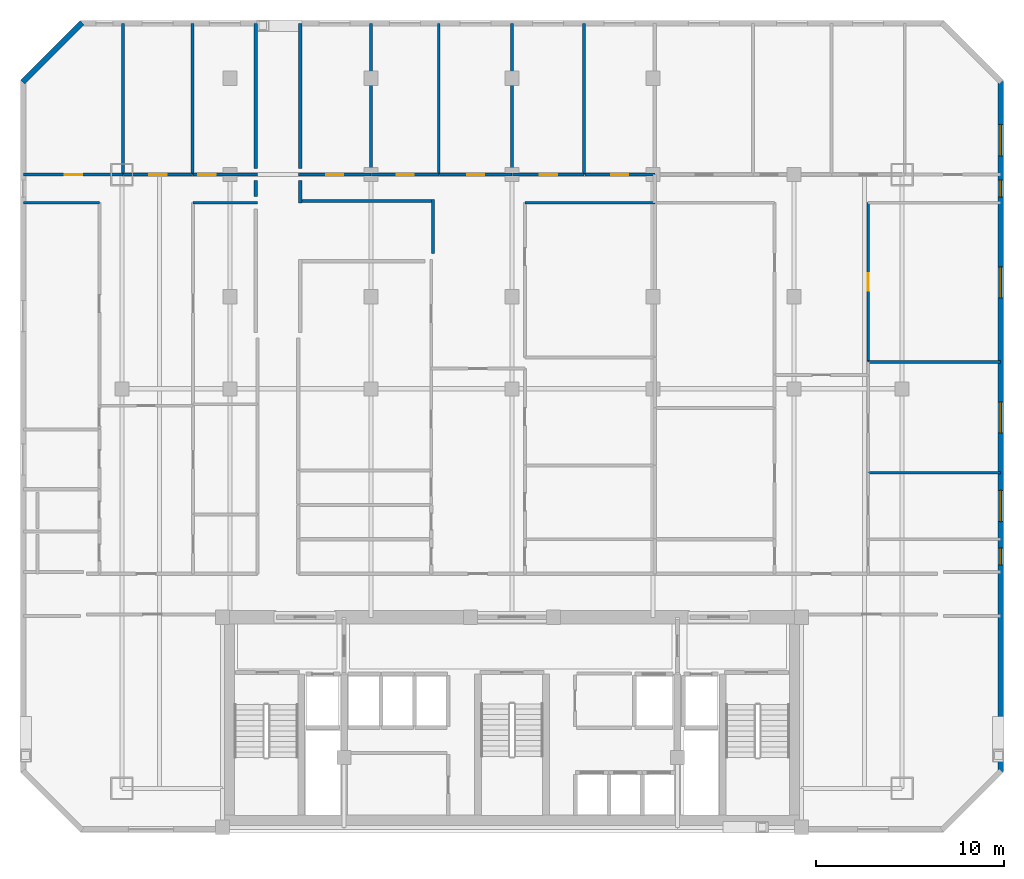
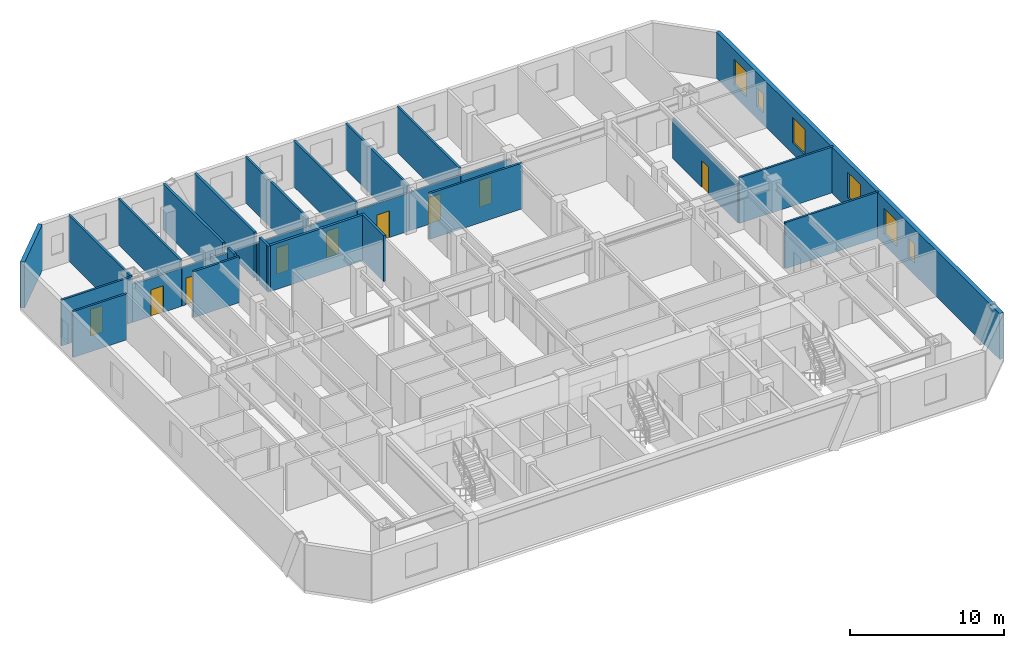
# One storey, part 6 of 8: 28 walls, 9 doors, 6 windows, 15 openings.
"""IFC4 building model written with IfcOpenShell, lengths in metres."""

import ifcopenshell
import ifcopenshell.guid

model = None  # the IFC model being written
_history = None  # IfcOwnerHistory: only IFC2X3 demands one
_inside = {}  # id of a spatial element -> (the spatial element, [elements in it])
_under = {}  # id of a project, library or spatial element -> (it, [spatial elements below it])
_declared = {}  # id of a project -> (the project, [libraries it declares])
_typed = {}  # id of a type object -> (the type object, [elements of that type])
_made_of = {}  # id of a material, layer set ... -> (it, [elements and type objects made of it])


def new_model(schema):
    """Start an empty IFC model of exactly this schema.

    Asked for "IFC4X3", IfcOpenShell would pick the latest addendum, in which some entities
    have other attributes; the version numbers below select the first issue.
    IFC2X3 requires an IfcOwnerHistory on every rooted entity: one is made here for all.
    """
    global model, _history
    if schema == "IFC4X3":
        model = ifcopenshell.file(schema_version=(4, 3, 0, 0))
    else:
        model = ifcopenshell.file(schema=schema)
    _inside.clear()
    _under.clear()
    _declared.clear()
    _typed.clear()
    _made_of.clear()
    _history = None
    if model.schema == "IFC2X3":
        org = make("IfcOrganization", Name="unknown")
        user = make(
            "IfcPersonAndOrganization",
            ThePerson=make("IfcPerson", FamilyName="unknown"),
            TheOrganization=org,
        )
        app = make(
            "IfcApplication",
            ApplicationDeveloper=org,
            Version="unknown",
            ApplicationFullName="unknown",
            ApplicationIdentifier="unknown",
        )
        _history = make(
            "IfcOwnerHistory",
            OwningUser=user,
            OwningApplication=app,
            ChangeAction="ADDED",
            CreationDate=0,
        )
    return model


def make(cls, **values):
    """One entity of the class cls with the attributes given. An attribute that is None is left unset."""
    return model.create_entity(
        cls, **{name: value for name, value in values.items() if value is not None}
    )


def rooted(cls, **values):
    """An entity with a GlobalId (a new one), such as an element, a storey or a relation."""
    return make(cls, GlobalId=ifcopenshell.guid.new(), OwnerHistory=_history, **values)


def si_unit(unit_type, name, prefix=None):
    """IfcSIUnit, for example si_unit("LENGTHUNIT", "METRE", prefix="MILLI")."""
    return make("IfcSIUnit", UnitType=unit_type, Prefix=prefix, Name=name)


def assignment(units):
    """IfcUnitAssignment: the units of a project."""
    return None if units is None else make("IfcUnitAssignment", Units=units)


def point(xyz):
    """IfcCartesianPoint."""
    return None if xyz is None else make("IfcCartesianPoint", Coordinates=xyz)


def direction(xyz):
    """IfcDirection."""
    return None if xyz is None else make("IfcDirection", DirectionRatios=xyz)


def frame(location, z_axis=None, x_axis=None):
    """IfcAxis2Placement3D, a coordinate frame: its origin and axes. An axis left out is left unset."""
    return make(
        "IfcAxis2Placement3D",
        Location=point(location),
        Axis=direction(z_axis),
        RefDirection=direction(x_axis),
    )


def frame_2d(location, x_axis=None):
    """IfcAxis2Placement2D, a coordinate frame in the plane: its origin and x axis."""
    return make(
        "IfcAxis2Placement2D", Location=point(location), RefDirection=direction(x_axis)
    )


def origin():
    """The frame at (0, 0, 0) with its axes left unset."""
    return frame((0.0, 0.0, 0.0))


def place(relative_to, where):
    """IfcLocalPlacement: puts the frame where relative to a parent placement (None: the world)."""
    return make(
        "IfcLocalPlacement", PlacementRelTo=relative_to, RelativePlacement=where
    )


def context(
    kind, dimensions, precision=None, world=None, true_north=None, identifier=None
):
    """IfcGeometricRepresentationContext, for example the 3D "Model" context."""
    return make(
        "IfcGeometricRepresentationContext",
        ContextIdentifier=identifier,
        ContextType=kind,
        CoordinateSpaceDimension=dimensions,
        Precision=precision,
        WorldCoordinateSystem=world,
        TrueNorth=true_north,
    )


def subcontext(parent, identifier, kind, view, scale=None):
    """IfcGeometricRepresentationSubContext, for example "Body" below "Model"."""
    return make(
        "IfcGeometricRepresentationSubContext",
        ContextIdentifier=identifier,
        ContextType=kind,
        ParentContext=parent,
        TargetScale=scale,
        TargetView=view,
    )


def project(units=None, contexts=None):
    """IfcProject with its units and contexts."""
    return rooted(
        "IfcProject",
        Name="project",
        RepresentationContexts=contexts,
        UnitsInContext=assignment(units),
    )


def spatial(cls, under=None, at=None, **own):
    """A site, building, storey or space (cls), placed at a placement, below another one or the project."""
    s = rooted(cls, ObjectPlacement=at, **own)
    if under is not None:
        _under.setdefault(under.id(), (under, []))[1].append(s)
    return s


def profile(cls, at=None, kind="AREA", **sizes):
    """A parametric profile (cls). Its sizes go by their IFC names, for example OverallWidth=200.0."""
    return make(cls, ProfileType=kind, Position=at, **sizes)


def rectangle(**sizes):
    """IfcRectangleProfileDef."""
    return profile("IfcRectangleProfileDef", **sizes)


def extrude(swept, where, along, depth):
    """IfcExtrudedAreaSolid: the profile swept, set in the frame where, extruded along a direction by depth."""
    return make(
        "IfcExtrudedAreaSolid",
        SweptArea=swept,
        Position=where,
        ExtrudedDirection=direction(along),
        Depth=depth,
    )


def shape(context_of_items, identifier, shape_type, items):
    """IfcShapeRepresentation: the items that make up one representation, for example the "Body"."""
    return make(
        "IfcShapeRepresentation",
        ContextOfItems=context_of_items,
        RepresentationIdentifier=identifier,
        RepresentationType=shape_type,
        Items=items,
    )


def material(Name=None, Category=None):
    """IfcMaterial."""
    return make("IfcMaterial", Name=Name, Category=Category)


def layer(
    of_material, thickness, ventilated=None, Name=None, Category=None, Priority=None
):
    """IfcMaterialLayer: one layer of a wall or slab, of a material (None: an air gap)."""
    return make(
        "IfcMaterialLayer",
        Material=of_material,
        LayerThickness=thickness,
        IsVentilated=ventilated,
        Name=Name,
        Category=Category,
        Priority=Priority,
    )


def layer_set(layers, Name=None):
    """IfcMaterialLayerSet."""
    return make("IfcMaterialLayerSet", MaterialLayers=layers, LayerSetName=Name)


def made_of(thing, what):
    """Note that an element or type object is made of a material, layer set ...; save() writes the relation."""
    if what is not None:
        _made_of.setdefault(what.id(), (what, []))[1].append(thing)
    return thing


def type_object(cls, material=None, **own):
    """A type object (cls), such as IfcWallType, which elements share."""
    return made_of(rooted(cls, **own), material)


def element(
    cls,
    number,
    at=None,
    inside=None,
    cuts=None,
    type_object=None,
    material=None,
    context=None,
    identifier="Body",
    shape_type=None,
    held_by="IfcProductDefinitionShape",
    body=None,
    shapes=None,
    **own,
):
    """One element of the class cls, such as IfcWall. Its Tag is "e" and its number.

    at: its placement. inside: the storey or other place that contains it. cuts: it is an
    opening in that element (IfcRelVoidsElement). A single representation is given by context,
    identifier, shape_type and body (its items); several are given by shapes. held_by: the class
    of the entity that holds the representations. save() writes the other relations.
    """
    e = rooted(cls, Tag="e%d" % number, ObjectPlacement=at, **own)
    if body is not None:
        shapes = [shape(context, identifier, shape_type, body)]
    if shapes is not None:
        e.Representation = make(held_by, Representations=shapes)
    if inside is not None:
        _inside.setdefault(inside.id(), (inside, []))[1].append(e)
    if cuts is not None:
        rooted(
            "IfcRelVoidsElement", RelatingBuildingElement=cuts, RelatedOpeningElement=e
        )
    if type_object is not None:
        _typed.setdefault(type_object.id(), (type_object, []))[1].append(e)
    return made_of(e, material)


def fill(opening, filler):
    """IfcRelFillsElement: the door or window that sits in an opening."""
    return rooted(
        "IfcRelFillsElement",
        RelatingOpeningElement=opening,
        RelatedBuildingElement=filler,
    )


def aggregate(whole, parts):
    """IfcRelAggregates: a whole, such as a stair, and the parts it consists of."""
    return rooted("IfcRelAggregates", RelatingObject=whole, RelatedObjects=parts)


def save(model, path):
    """Write the relations noted so far, then the file.

    IfcRelAggregates (storeys below a building ...), IfcRelContainedInSpatialStructure (elements
    in a storey), IfcRelDefinesByType, IfcRelAssociatesMaterial and IfcRelDeclares: one each for
    every whole, place, type object, material and project.
    """
    for whole, parts in _under.values():
        aggregate(whole, parts)
    for where, things in _inside.values():
        rooted(
            "IfcRelContainedInSpatialStructure",
            RelatedElements=things,
            RelatingStructure=where,
        )
    for kind, things in _typed.values():
        rooted("IfcRelDefinesByType", RelatedObjects=things, RelatingType=kind)
    for what, things in _made_of.values():
        rooted("IfcRelAssociatesMaterial", RelatedObjects=things, RelatingMaterial=what)
    for by, libraries in _declared.values():
        rooted("IfcRelDeclares", RelatingContext=by, RelatedDefinitions=libraries)
    model.write(path)


model = new_model("IFC4")

# Units and contexts
model_context = context("Model", 3, precision=1e-05, world=origin(), true_north=direction((0.0, 1.0)))
body_context = subcontext(model_context, "Body", "Model", "MODEL_VIEW")
ifc_project = project(units=[si_unit("LENGTHUNIT", "METRE"), si_unit("AREAUNIT", "SQUARE_METRE"), si_unit("VOLUMEUNIT", "CUBIC_METRE"), si_unit("PLANEANGLEUNIT", "RADIAN"), si_unit("MASSUNIT", "GRAM", prefix="KILO")], contexts=[model_context])

# Site, building, storey
site_placement = place(None, origin())
site = spatial("IfcSite", under=ifc_project, at=site_placement, CompositionType="ELEMENT")
building_placement = place(site_placement, origin())
building = spatial("IfcBuilding", under=site, at=building_placement, Name="Ventersveld Concourse Tower", CompositionType="ELEMENT")
storey_placement = place(building_placement, frame((0.0, 0.0, 149.050048828125)))
storey = spatial("IfcBuildingStorey", under=building, at=storey_placement, Name="L36", CompositionType="ELEMENT", Elevation=149.050048828125)

# Walls
ifc_material_1 = material(Name="Fire-rated autoclaved aerated masonry blockwork", Category="masonry")
ifc_layer_1 = layer(ifc_material_1, 0.179931640625)
ifc_layer_set_1 = layer_set([ifc_layer_1], Name="Fire-rated autoclaved aerated masonry blockwork")
wall_type_1 = type_object("IfcWallType", Name="WL-CORR-180", PredefinedType="PARTITIONING", material=ifc_layer_set_1)
wall_1_placement = place(storey_placement, frame((15.1201171875, 34.675048828125, 0.0), z_axis=(0.0, 0.0, 1.0), x_axis=(0.0, -1.0, 0.0)))
element("IfcWall", 1, at=wall_1_placement, inside=storey, type_object=wall_type_1, Name="L36 Room Enclosure Wall SP-L36-36NW-LIV", PredefinedType="PARTITIONING", context=body_context, shape_type="SweptSolid", body=[
    extrude(rectangle(XDim=0.85009765625, YDim=0.179931640625, at=frame_2d((0.425048828125, 0.0))), origin(), (0.0, 0.0, 1.0), 3.6298828125),
])
wall_2_placement = place(storey_placement, frame((15.1201171875, 43.027587890625, 0.0), z_axis=(0.0, 0.0, 1.0), x_axis=(0.0, -1.0, 0.0)))
element("IfcWall", 2, at=wall_2_placement, inside=storey, type_object=wall_type_1, Name="L36 Room Enclosure Wall SP-L36-36NW-BR3", PredefinedType="PARTITIONING", context=body_context, shape_type="SweptSolid", body=[
    extrude(rectangle(XDim=7.70263671875, YDim=0.179931640625, at=frame_2d((3.851318359375, 0.0))), origin(), (0.0, 0.0, 1.0), 3.6298828125),
])
wall_3_placement = place(storey_placement, frame((24.64013671875, 33.590087890625, 0.0), z_axis=(0.0, 0.0, 1.0), x_axis=(-1.0, 0.0, 0.0)))
element("IfcWall", 3, at=wall_3_placement, inside=storey, type_object=wall_type_1, Name="L36 Room Enclosure Wall SP-L36-36N1-LIV", PredefinedType="PARTITIONING", context=body_context, shape_type="SweptSolid", body=[
    extrude(rectangle(XDim=7.255126953125, YDim=0.179931640625, at=frame_2d((3.62744140625, 0.0))), origin(), (0.0, 0.0, 1.0), 3.6298828125),
])
wall_4_placement = place(storey_placement, frame((17.47998046875, 33.4951171875, 0.0), z_axis=(0.0, 0.0, 1.0), x_axis=(0.0, 1.0, 0.0)))
element("IfcWall", 4, at=wall_4_placement, inside=storey, type_object=wall_type_1, Name="L36 Room Enclosure Wall SP-L36-36N1-LIV", PredefinedType="PARTITIONING", context=body_context, shape_type="SweptSolid", body=[
    extrude(rectangle(XDim=1.179931640625, YDim=0.179931640625, at=frame_2d((0.58984375, 0.0))), origin(), (0.0, 0.0, 1.0), 3.6298828125),
])
wall_5_placement = place(storey_placement, frame((24.545166015625, 30.798095703125, 0.0), z_axis=(0.0, 0.0, 1.0), x_axis=(0.0, 1.0, 0.0)))
element("IfcWall", 5, at=wall_5_placement, inside=storey, type_object=wall_type_1, Name="L36 Room Enclosure Wall SP-L36-36N1-LIV", PredefinedType="PARTITIONING", context=body_context, shape_type="SweptSolid", body=[
    extrude(rectangle(XDim=2.886962890625, YDim=0.179931640625, at=frame_2d((1.443359375, 0.0))), origin(), (0.0, 0.0, 1.0), 3.6298828125),
])
wall_6_placement = place(storey_placement, frame((17.47998046875, 35.324951171875, 0.0), z_axis=(0.0, 0.0, 1.0), x_axis=(0.0, 1.0, 0.0)))
element("IfcWall", 6, at=wall_6_placement, inside=storey, type_object=wall_type_1, Name="L36 Room Enclosure Wall SP-L36-36N1-BR1", PredefinedType="PARTITIONING", context=body_context, shape_type="SweptSolid", body=[
    extrude(rectangle(XDim=7.70263671875, YDim=0.179931640625, at=frame_2d((3.851318359375, 0.0))), origin(), (0.0, 0.0, 1.0), 3.6298828125),
])
ifc_material_2 = material(Name="Autoclaved aerated masonry blockwork", Category="masonry")
ifc_layer_2 = layer(ifc_material_2, 0.14990234375)
ifc_layer_set_2 = layer_set([ifc_layer_2], Name="Autoclaved aerated masonry blockwork")
wall_type_2 = type_object("IfcWallType", Name="WL-INT-150", PredefinedType="PARTITIONING", material=ifc_layer_set_2)
wall_7_placement = place(storey_placement, frame((2.7724609375, 33.5, 0.0), z_axis=(0.0, 0.0, 1.0), x_axis=(1.0, 0.0, 0.0)))
element("IfcWall", 7, at=wall_7_placement, inside=storey, type_object=wall_type_2, Name="L36 Interior Partition SP-L36-36NW-LIV-SP-L36-36NW-DENL", PredefinedType="PARTITIONING", context=body_context, shape_type="SweptSolid", body=[
    extrude(rectangle(XDim=4.038330078125, YDim=0.14990234375, at=frame_2d((2.01904296875, 0.0))), origin(), (0.0, 0.0, 1.0), 3.6298828125),
])
wall_8_placement = place(storey_placement, frame((11.781005859375, 33.5, 0.0), z_axis=(0.0, 0.0, 1.0), x_axis=(1.0, 0.0, 0.0)))
element("IfcWall", 8, at=wall_8_placement, inside=storey, type_object=wall_type_2, Name="L36 Interior Partition SP-L36-36NW-LIV-SP-L36-36NW-DENS", PredefinedType="PARTITIONING", context=body_context, shape_type="SweptSolid", body=[
    extrude(rectangle(XDim=3.43408203125, YDim=0.14990234375, at=frame_2d((1.717041015625, 0.0))), origin(), (0.0, 0.0, 1.0), 3.6298828125),
])

# Wall, opening, door
wall_9_placement = place(storey_placement, frame((2.7724609375, 35.0, 0.0), z_axis=(0.0, 0.0, 1.0), x_axis=(1.0, 0.0, 0.0)))
wall_9 = element("IfcWall", 9, at=wall_9_placement, inside=storey, type_object=wall_type_2, Name="L36 Interior Partition SP-L36-36NW-LIV-SP-L36-36NW-BR1", PredefinedType="PARTITIONING", context=body_context, shape_type="SweptSolid", body=[
    extrude(rectangle(XDim=5.291748046875, YDim=0.14990234375, at=frame_2d((2.64599609375, 0.0))), origin(), (0.0, 0.0, 1.0), 3.6298828125),
])
opening_1_placement = place(wall_9_placement, frame((2.185791015625, 0.0, 0.0)))
opening_1 = element("IfcOpeningElement", 10, at=opening_1_placement, cuts=wall_9, Name="Opening ID1", PredefinedType="OPENING", context=body_context, shape_type="SweptSolid", body=[
    extrude(rectangle(XDim=0.919921875, YDim=2.10009765625, at=frame_2d((0.4599609375, 1.050048828125))), frame((0.0, 0.0849609375, 0.0), z_axis=(0.0, -1.0, 0.0), x_axis=(1.0, 0.0, 0.0)), (0.0, 0.0, 1.0), 0.169921875),
])
ifc_material_3 = material(Name="Solid-core hardwood veneer timber", Category="wood")
door_type = type_object("IfcDoorType", Name="DR-ROOM-092", OperationType="NOTDEFINED", PredefinedType="DOOR", material=ifc_material_3)
door_1_placement = place(opening_1_placement, origin())
door_1 = element("IfcDoor", 11, at=door_1_placement, inside=storey, type_object=door_type, Name="L36 Interior Door SP-L36-36NW-LIV to SP-L36-36NW-BR1 (D-L36-1770)", OperationType="SINGLE_SWING_RIGHT", OverallHeight=2.10009765625, OverallWidth=0.919921875, PredefinedType="DOOR", context=body_context, shape_type="SweptSolid", body=[
    extrude(rectangle(XDim=0.919921875, YDim=2.10009765625, at=frame_2d((0.4599609375, 1.050048828125))), frame((0.0, 0.02490234375, 0.0), z_axis=(0.0, -1.0, 0.0), x_axis=(1.0, 0.0, 0.0)), (0.0, 0.0, 1.0), 0.050048828125),
])
fill(opening_1, door_1)

wall_10_placement = place(storey_placement, frame((8.09423828125, 35.0, 0.0), z_axis=(0.0, 0.0, 1.0), x_axis=(1.0, 0.0, 0.0)))
wall_10 = element("IfcWall", 12, at=wall_10_placement, inside=storey, type_object=wall_type_2, Name="L36 Interior Partition SP-L36-36NW-LIV-SP-L36-36NW-BR2", PredefinedType="PARTITIONING", context=body_context, shape_type="SweptSolid", body=[
    extrude(rectangle(XDim=3.662353515625, YDim=0.14990234375, at=frame_2d((1.8310546875, 0.0))), origin(), (0.0, 0.0, 1.0), 3.0126953125),
])
opening_2_placement = place(wall_10_placement, frame((1.371337890625, 0.0, 0.0)))
opening_2 = element("IfcOpeningElement", 13, at=opening_2_placement, cuts=wall_10, Name="Opening ID1", PredefinedType="OPENING", context=body_context, shape_type="SweptSolid", body=[
    extrude(rectangle(XDim=0.919921875, YDim=2.10009765625, at=frame_2d((0.4599609375, 1.050048828125))), frame((0.0, 0.0849609375, 0.0), z_axis=(0.0, -1.0, 0.0), x_axis=(1.0, 0.0, 0.0)), (0.0, 0.0, 1.0), 0.169921875),
])
door_2_placement = place(opening_2_placement, origin())
door_2 = element("IfcDoor", 14, at=door_2_placement, inside=storey, type_object=door_type, Name="L36 Interior Door SP-L36-36NW-LIV to SP-L36-36NW-BR2 (D-L36-1771)", OperationType="SINGLE_SWING_LEFT", OverallHeight=2.10009765625, OverallWidth=0.919921875, PredefinedType="DOOR", context=body_context, shape_type="SweptSolid", body=[
    extrude(rectangle(XDim=0.919921875, YDim=2.10009765625, at=frame_2d((0.4599609375, 1.050048828125))), frame((0.0, 0.02490234375, 0.0), z_axis=(0.0, -1.0, 0.0), x_axis=(1.0, 0.0, 0.0)), (0.0, 0.0, 1.0), 0.050048828125),
])
fill(opening_2, door_2)

wall_11_placement = place(storey_placement, frame((11.78662109375, 35.0, 0.0), z_axis=(0.0, 0.0, 1.0), x_axis=(1.0, 0.0, 0.0)))
wall_11 = element("IfcWall", 15, at=wall_11_placement, inside=storey, type_object=wall_type_2, Name="L36 Interior Partition SP-L36-36NW-LIV-SP-L36-36NW-BR3", PredefinedType="PARTITIONING", context=body_context, shape_type="SweptSolid", body=[
    extrude(rectangle(XDim=3.428466796875, YDim=0.14990234375, at=frame_2d((1.71435546875, 0.0))), origin(), (0.0, 0.0, 1.0), 3.0126953125),
])
opening_3_placement = place(wall_11_placement, frame((0.280029296875, 0.0, 0.0)))
opening_3 = element("IfcOpeningElement", 16, at=opening_3_placement, cuts=wall_11, Name="Opening ID1", PredefinedType="OPENING", context=body_context, shape_type="SweptSolid", body=[
    extrude(rectangle(XDim=0.919921875, YDim=2.10009765625, at=frame_2d((0.4599609375, 1.050048828125))), frame((0.0, 0.0849609375, 0.0), z_axis=(0.0, -1.0, 0.0), x_axis=(1.0, 0.0, 0.0)), (0.0, 0.0, 1.0), 0.169921875),
])
door_3_placement = place(opening_3_placement, origin())
door_3 = element("IfcDoor", 17, at=door_3_placement, inside=storey, type_object=door_type, Name="L36 Interior Door SP-L36-36NW-LIV to SP-L36-36NW-BR3 (D-L36-1772)", OperationType="SINGLE_SWING_RIGHT", OverallHeight=2.10009765625, OverallWidth=0.919921875, PredefinedType="DOOR", context=body_context, shape_type="SweptSolid", body=[
    extrude(rectangle(XDim=0.919921875, YDim=2.10009765625, at=frame_2d((0.4599609375, 1.050048828125))), frame((0.0, 0.02490234375, 0.0), z_axis=(0.0, -1.0, 0.0), x_axis=(1.0, 0.0, 0.0)), (0.0, 0.0, 1.0), 0.050048828125),
])
fill(opening_3, door_3)

# Walls
for number, where, z_axis, x_axis, name in (
    (18, (8.05908203125, 34.9951171875, 0.0), (0.0, 0.0, 1.0), (0.0, 1.0, 0.0), "L36 Interior Partition SP-L36-36NW-BR1-SP-L36-36NW-BR2"),
    (19, (11.751708984375, 34.9951171875, 0.0), (0.0, 0.0, 1.0), (0.0, 1.0, 0.0), "L36 Interior Partition SP-L36-36NW-BR2-SP-L36-36NW-BR3"),
):
    element("IfcWall", number, at=place(storey_placement, frame(where, z_axis=z_axis, x_axis=x_axis)), inside=storey, type_object=wall_type_2, Name=name, PredefinedType="PARTITIONING", context=body_context, shape_type="SweptSolid", body=[
        extrude(rectangle(XDim=8.032470703125, YDim=0.14990234375, at=frame_2d((4.01611328125, 0.0))), origin(), (0.0, 0.0, 1.0), 3.6298828125),
    ])
wall_12_placement = place(storey_placement, frame((29.43017578125, 33.5, 0.0), z_axis=(0.0, 0.0, 1.0), x_axis=(1.0, 0.0, 0.0)))
element("IfcWall", 20, at=wall_12_placement, inside=storey, type_object=wall_type_2, Name="L36 Interior Partition SP-L36-36N1-LIV-SP-L36-36N1-DENS2", PredefinedType="PARTITIONING", context=body_context, shape_type="SweptSolid", body=[
    extrude(rectangle(XDim=6.9189453125, YDim=0.14990234375, at=frame_2d((3.45947265625, 0.0))), origin(), (0.0, 0.0, 1.0), 3.6298828125),
])

# Wall, opening, door
wall_13_placement = place(storey_placement, frame((17.385009765625, 35.0, 0.0), z_axis=(0.0, 0.0, 1.0), x_axis=(1.0, 0.0, 0.0)))
wall_13 = element("IfcWall", 21, at=wall_13_placement, inside=storey, type_object=wall_type_2, Name="L36 Interior Partition SP-L36-36N1-LIV-SP-L36-36N1-BR1", PredefinedType="PARTITIONING", context=body_context, shape_type="SweptSolid", body=[
    extrude(rectangle(XDim=3.869873046875, YDim=0.14990234375, at=frame_2d((1.93505859375, 0.0))), origin(), (0.0, 0.0, 1.0), 3.0126953125),
])
opening_4_placement = place(wall_13_placement, frame((1.47509765625, 0.0, 0.0)))
opening_4 = element("IfcOpeningElement", 22, at=opening_4_placement, cuts=wall_13, Name="Opening ID1", PredefinedType="OPENING", context=body_context, shape_type="SweptSolid", body=[
    extrude(rectangle(XDim=0.919921875, YDim=2.10009765625, at=frame_2d((0.4599609375, 1.050048828125))), frame((0.0, 0.0849609375, 0.0), z_axis=(0.0, -1.0, 0.0), x_axis=(1.0, 0.0, 0.0)), (0.0, 0.0, 1.0), 0.169921875),
])
door_4_placement = place(opening_4_placement, origin())
door_4 = element("IfcDoor", 23, at=door_4_placement, inside=storey, type_object=door_type, Name="L36 Interior Door SP-L36-36N1-LIV to SP-L36-36N1-BR1 (D-L36-1783)", OperationType="SINGLE_SWING_LEFT", OverallHeight=2.10009765625, OverallWidth=0.919921875, PredefinedType="DOOR", context=body_context, shape_type="SweptSolid", body=[
    extrude(rectangle(XDim=0.919921875, YDim=2.10009765625, at=frame_2d((0.4599609375, 1.050048828125))), frame((0.0, 0.02490234375, 0.0), z_axis=(0.0, -1.0, 0.0), x_axis=(1.0, 0.0, 0.0)), (0.0, 0.0, 1.0), 0.050048828125),
])
fill(opening_4, door_4)

wall_14_placement = place(storey_placement, frame((21.284912109375, 35.0, 0.0), z_axis=(0.0, 0.0, 1.0), x_axis=(1.0, 0.0, 0.0)))
wall_14 = element("IfcWall", 24, at=wall_14_placement, inside=storey, type_object=wall_type_2, Name="L36 Interior Partition SP-L36-36N1-LIV-SP-L36-36N1-BR2", PredefinedType="PARTITIONING", context=body_context, shape_type="SweptSolid", body=[
    extrude(rectangle(XDim=3.578125, YDim=0.14990234375, at=frame_2d((1.7890625, 0.0))), origin(), (0.0, 0.0, 1.0), 3.0126953125),
])
opening_5_placement = place(wall_14_placement, frame((1.3291015625, 0.0, 0.0)))
opening_5 = element("IfcOpeningElement", 25, at=opening_5_placement, cuts=wall_14, Name="Opening ID1", PredefinedType="OPENING", context=body_context, shape_type="SweptSolid", body=[
    extrude(rectangle(XDim=0.919921875, YDim=2.10009765625, at=frame_2d((0.4599609375, 1.050048828125))), frame((0.0, 0.0849609375, 0.0), z_axis=(0.0, -1.0, 0.0), x_axis=(1.0, 0.0, 0.0)), (0.0, 0.0, 1.0), 0.169921875),
])
door_5_placement = place(opening_5_placement, origin())
door_5 = element("IfcDoor", 26, at=door_5_placement, inside=storey, type_object=door_type, Name="L36 Interior Door SP-L36-36N1-LIV to SP-L36-36N1-BR2 (D-L36-1784)", OperationType="SINGLE_SWING_RIGHT", OverallHeight=2.10009765625, OverallWidth=0.919921875, PredefinedType="DOOR", context=body_context, shape_type="SweptSolid", body=[
    extrude(rectangle(XDim=0.919921875, YDim=2.10009765625, at=frame_2d((0.4599609375, 1.050048828125))), frame((0.0, 0.02490234375, 0.0), z_axis=(0.0, -1.0, 0.0), x_axis=(1.0, 0.0, 0.0)), (0.0, 0.0, 1.0), 0.050048828125),
])
fill(opening_5, door_5)

wall_15_placement = place(storey_placement, frame((24.89306640625, 35.0, 0.0), z_axis=(0.0, 0.0, 1.0), x_axis=(1.0, 0.0, 0.0)))
wall_15 = element("IfcWall", 27, at=wall_15_placement, inside=storey, type_object=wall_type_2, Name="L36 Interior Partition SP-L36-36N1-LIV-SP-L36-36N1-BR3", PredefinedType="PARTITIONING", context=body_context, shape_type="SweptSolid", body=[
    extrude(rectangle(XDim=3.86181640625, YDim=0.14990234375, at=frame_2d((1.930908203125, 0.0))), origin(), (0.0, 0.0, 1.0), 3.0126953125),
])
opening_6_placement = place(wall_15_placement, frame((1.470947265625, 0.0, 0.0)))
opening_6 = element("IfcOpeningElement", 28, at=opening_6_placement, cuts=wall_15, Name="Opening ID1", PredefinedType="OPENING", context=body_context, shape_type="SweptSolid", body=[
    extrude(rectangle(XDim=0.919921875, YDim=2.10009765625, at=frame_2d((0.4599609375, 1.050048828125))), frame((0.0, 0.0849609375, 0.0), z_axis=(0.0, -1.0, 0.0), x_axis=(1.0, 0.0, 0.0)), (0.0, 0.0, 1.0), 0.169921875),
])
door_6_placement = place(opening_6_placement, origin())
door_6 = element("IfcDoor", 29, at=door_6_placement, inside=storey, type_object=door_type, Name="L36 Interior Door SP-L36-36N1-LIV to SP-L36-36N1-BR3 (D-L36-1785)", OperationType="SINGLE_SWING_LEFT", OverallHeight=2.10009765625, OverallWidth=0.919921875, PredefinedType="DOOR", context=body_context, shape_type="SweptSolid", body=[
    extrude(rectangle(XDim=0.919921875, YDim=2.10009765625, at=frame_2d((0.4599609375, 1.050048828125))), frame((0.0, 0.02490234375, 0.0), z_axis=(0.0, -1.0, 0.0), x_axis=(1.0, 0.0, 0.0)), (0.0, 0.0, 1.0), 0.050048828125),
])
fill(opening_6, door_6)

wall_16_placement = place(storey_placement, frame((28.784912109375, 35.0, 0.0), z_axis=(0.0, 0.0, 1.0), x_axis=(1.0, 0.0, 0.0)))
wall_16 = element("IfcWall", 30, at=wall_16_placement, inside=storey, type_object=wall_type_2, Name="L36 Interior Partition SP-L36-36N1-LIV-SP-L36-36N1-BR4", PredefinedType="PARTITIONING", context=body_context, shape_type="SweptSolid", body=[
    extrude(rectangle(XDim=3.806640625, YDim=0.14990234375, at=frame_2d((1.9033203125, 0.0))), origin(), (0.0, 0.0, 1.0), 3.0126953125),
])
opening_7_placement = place(wall_16_placement, frame((1.443359375, 0.0, 0.0)))
opening_7 = element("IfcOpeningElement", 31, at=opening_7_placement, cuts=wall_16, Name="Opening ID1", PredefinedType="OPENING", context=body_context, shape_type="SweptSolid", body=[
    extrude(rectangle(XDim=0.919921875, YDim=2.10009765625, at=frame_2d((0.4599609375, 1.050048828125))), frame((0.0, 0.0849609375, 0.0), z_axis=(0.0, -1.0, 0.0), x_axis=(1.0, 0.0, 0.0)), (0.0, 0.0, 1.0), 0.169921875),
])
door_7_placement = place(opening_7_placement, origin())
door_7 = element("IfcDoor", 32, at=door_7_placement, inside=storey, type_object=door_type, Name="L36 Interior Door SP-L36-36N1-LIV to SP-L36-36N1-BR4 (D-L36-1786)", OperationType="SINGLE_SWING_RIGHT", OverallHeight=2.10009765625, OverallWidth=0.919921875, PredefinedType="DOOR", context=body_context, shape_type="SweptSolid", body=[
    extrude(rectangle(XDim=0.919921875, YDim=2.10009765625, at=frame_2d((0.4599609375, 1.050048828125))), frame((0.0, 0.02490234375, 0.0), z_axis=(0.0, -1.0, 0.0), x_axis=(1.0, 0.0, 0.0)), (0.0, 0.0, 1.0), 0.050048828125),
])
fill(opening_7, door_7)

wall_17_placement = place(storey_placement, frame((32.62158203125, 35.0, 0.0), z_axis=(0.0, 0.0, 1.0), x_axis=(1.0, 0.0, 0.0)))
wall_17 = element("IfcWall", 33, at=wall_17_placement, inside=storey, type_object=wall_type_2, Name="L36 Interior Partition SP-L36-36N1-LIV-SP-L36-36N1-BR5", PredefinedType="PARTITIONING", context=body_context, shape_type="SweptSolid", body=[
    extrude(rectangle(XDim=3.7275390625, YDim=0.14990234375, at=frame_2d((1.86376953125, 0.0))), origin(), (0.0, 0.0, 1.0), 3.0126953125),
])
opening_8_placement = place(wall_17_placement, frame((1.40380859375, 0.0, 0.0)))
opening_8 = element("IfcOpeningElement", 34, at=opening_8_placement, cuts=wall_17, Name="Opening ID1", PredefinedType="OPENING", context=body_context, shape_type="SweptSolid", body=[
    extrude(rectangle(XDim=0.919921875, YDim=2.10009765625, at=frame_2d((0.4599609375, 1.050048828125))), frame((0.0, 0.0849609375, 0.0), z_axis=(0.0, -1.0, 0.0), x_axis=(1.0, 0.0, 0.0)), (0.0, 0.0, 1.0), 0.169921875),
])
door_8_placement = place(opening_8_placement, origin())
door_8 = element("IfcDoor", 35, at=door_8_placement, inside=storey, type_object=door_type, Name="L36 Interior Door SP-L36-36N1-LIV to SP-L36-36N1-BR5 (D-L36-1787)", OperationType="SINGLE_SWING_LEFT", OverallHeight=2.10009765625, OverallWidth=0.919921875, PredefinedType="DOOR", context=body_context, shape_type="SweptSolid", body=[
    extrude(rectangle(XDim=0.919921875, YDim=2.10009765625, at=frame_2d((0.4599609375, 1.050048828125))), frame((0.0, 0.02490234375, 0.0), z_axis=(0.0, -1.0, 0.0), x_axis=(1.0, 0.0, 0.0)), (0.0, 0.0, 1.0), 0.050048828125),
])
fill(opening_8, door_8)

# Walls
for number, where, z_axis, x_axis, name in (
    (36, (21.25, 34.9951171875, 0.0), (0.0, 0.0, 1.0), (0.0, 1.0, 0.0), "L36 Interior Partition SP-L36-36N1-BR1-SP-L36-36N1-BR2"),
    (37, (24.85791015625, 34.9951171875, 0.0), (0.0, 0.0, 1.0), (0.0, 1.0, 0.0), "L36 Interior Partition SP-L36-36N1-BR2-SP-L36-36N1-BR3"),
    (38, (28.75, 34.9951171875, 0.0), (0.0, 0.0, 1.0), (0.0, 1.0, 0.0), "L36 Interior Partition SP-L36-36N1-BR3-SP-L36-36N1-BR4"),
    (39, (32.58642578125, 34.9951171875, 0.0), (0.0, 0.0, 1.0), (0.0, 1.0, 0.0), "L36 Interior Partition SP-L36-36N1-BR4-SP-L36-36N1-BR5"),
):
    element("IfcWall", number, at=place(storey_placement, frame(where, z_axis=z_axis, x_axis=x_axis)), inside=storey, type_object=wall_type_2, Name=name, PredefinedType="PARTITIONING", context=body_context, shape_type="SweptSolid", body=[
        extrude(rectangle(XDim=8.032470703125, YDim=0.14990234375, at=frame_2d((4.01611328125, 0.0))), origin(), (0.0, 0.0, 1.0), 3.6298828125),
    ])

# Wall, opening, door
wall_18_placement = place(storey_placement, frame((47.697021484375, 25.067138671875, 0.0), z_axis=(0.0, 0.0, 1.0), x_axis=(0.0, 1.0, 0.0)))
wall_18 = element("IfcWall", 40, at=wall_18_placement, inside=storey, type_object=wall_type_2, Name="L36 Interior Partition SP-L36-36N2-LIV-SP-L36-36N2-DENS2", PredefinedType="PARTITIONING", context=body_context, shape_type="SweptSolid", body=[
    extrude(rectangle(XDim=8.437744140625, YDim=0.14990234375, at=frame_2d((4.21875, 0.0))), origin(), (0.0, 0.0, 1.0), 3.176513671875),
])
opening_9_placement = place(wall_18_placement, frame((3.7587890625, 0.0, 0.0)))
opening_9 = element("IfcOpeningElement", 41, at=opening_9_placement, cuts=wall_18, Name="Opening ID1", PredefinedType="OPENING", context=body_context, shape_type="SweptSolid", body=[
    extrude(rectangle(XDim=0.919921875, YDim=2.10009765625, at=frame_2d((0.4599609375, 1.050048828125))), frame((0.0, 0.0849609375, 0.0), z_axis=(0.0, -1.0, 0.0), x_axis=(1.0, 0.0, 0.0)), (0.0, 0.0, 1.0), 0.169921875),
])
door_9_placement = place(opening_9_placement, origin())
door_9 = element("IfcDoor", 42, at=door_9_placement, inside=storey, type_object=door_type, Name="L36 Interior Door SP-L36-36N2-LIV to SP-L36-36N2-DENS2 (D-L36-1796)", OperationType="SINGLE_SWING_RIGHT", OverallHeight=2.10009765625, OverallWidth=0.919921875, PredefinedType="DOOR", context=body_context, shape_type="SweptSolid", body=[
    extrude(rectangle(XDim=0.919921875, YDim=2.10009765625, at=frame_2d((0.4599609375, 1.050048828125))), frame((0.0, 0.02490234375, 0.0), z_axis=(0.0, -1.0, 0.0), x_axis=(1.0, 0.0, 0.0)), (0.0, 0.0, 1.0), 0.050048828125),
])
fill(opening_9, door_9)

# Walls
for number, where, z_axis, x_axis, name in (
    (43, (47.69189453125, 19.138916015625, 0.0), (0.0, 0.0, 1.0), (1.0, 0.0, 0.0), "L36 Interior Partition SP-L36-36N2-SEMR1-SP-L36-36N2-DENS"),
    (44, (47.69189453125, 25.0322265625, 0.0), (0.0, 0.0, 1.0), (1.0, 0.0, 0.0), "L36 Interior Partition SP-L36-36N2-DENS-SP-L36-36N2-DENS2"),
):
    element("IfcWall", number, at=place(storey_placement, frame(where, z_axis=z_axis, x_axis=x_axis)), inside=storey, type_object=wall_type_2, Name=name, PredefinedType="PARTITIONING", context=body_context, shape_type="SweptSolid", body=[
        extrude(rectangle(XDim=7.03564453125, YDim=0.14990234375, at=frame_2d((3.517822265625, 0.0))), origin(), (0.0, 0.0, 1.0), 3.6298828125),
    ])

# Wall, openings, windows
ifc_material_4 = material(Name="Precast concrete C45/55", Category="concrete")
ifc_layer_3 = layer(ifc_material_4, 0.300048828125)
ifc_layer_set_3 = layer_set([ifc_layer_3], Name="Precast concrete C45/55")
wall_type_3 = type_object("IfcWallType", Name="WL-PREC-300", PredefinedType="SOLIDWALL", material=ifc_layer_set_3)
wall_19_placement = place(storey_placement, frame((54.75, 3.239990234375, 0.0), z_axis=(0.0, 0.0, 1.0), x_axis=(0.0, 1.0, 0.0)))
wall_19 = element("IfcWall", 45, at=wall_19_placement, inside=storey, type_object=wall_type_3, Name="L36 Highveld Precast Facade Wall E03", PredefinedType="SOLIDWALL", context=body_context, shape_type="SweptSolid", body=[
    extrude(rectangle(XDim=36.719970703125, YDim=0.300048828125, at=frame_2d((18.35986328125, 0.0))), origin(), (0.0, 0.0, 1.0), 3.6298828125),
])
opening_10_placement = place(wall_19_placement, frame((30.56005859375, 0.0, 0.949951171875)))
opening_10 = element("IfcOpeningElement", 46, at=opening_10_placement, cuts=wall_19, Name="Opening W4", PredefinedType="OPENING", context=body_context, shape_type="SweptSolid", body=[
    extrude(rectangle(XDim=0.89990234375, YDim=1.5, at=frame_2d((0.449951171875, 0.75))), frame((0.0, 0.16015625, 0.0), z_axis=(0.0, -1.0, 0.0), x_axis=(1.0, 0.0, 0.0)), (0.0, 0.0, 1.0), 0.320068359375),
])
opening_11_placement = place(wall_19_placement, frame((10.9951171875, 0.0, 0.949951171875)))
opening_11 = element("IfcOpeningElement", 47, at=opening_11_placement, cuts=wall_19, Name="Opening W4", PredefinedType="OPENING", context=body_context, shape_type="SweptSolid", body=[
    extrude(rectangle(XDim=0.89990234375, YDim=1.5, at=frame_2d((0.449951171875, 0.75))), frame((0.0, 0.16015625, 0.0), z_axis=(0.0, -1.0, 0.0), x_axis=(1.0, 0.0, 0.0)), (0.0, 0.0, 1.0), 0.320068359375),
])
opening_12_placement = place(wall_19_placement, frame((13.304443359375, 0.0, 0.8798828125)))
opening_12 = element("IfcOpeningElement", 48, at=opening_12_placement, cuts=wall_19, Name="Opening W6", PredefinedType="OPENING", context=body_context, shape_type="SweptSolid", body=[
    extrude(rectangle(XDim=1.64990234375, YDim=2.0, at=frame_2d((0.824951171875, 1.0))), frame((0.0, 0.16015625, 0.0), z_axis=(0.0, -1.0, 0.0), x_axis=(1.0, 0.0, 0.0)), (0.0, 0.0, 1.0), 0.320068359375),
])
opening_13_placement = place(wall_19_placement, frame((18.0205078125, 0.0, 0.8798828125)))
opening_13 = element("IfcOpeningElement", 49, at=opening_13_placement, cuts=wall_19, Name="Opening W6", PredefinedType="OPENING", context=body_context, shape_type="SweptSolid", body=[
    extrude(rectangle(XDim=1.64990234375, YDim=2.0, at=frame_2d((0.824951171875, 1.0))), frame((0.0, 0.16015625, 0.0), z_axis=(0.0, -1.0, 0.0), x_axis=(1.0, 0.0, 0.0)), (0.0, 0.0, 1.0), 0.320068359375),
])
opening_14_placement = place(wall_19_placement, frame((25.201171875, 0.0, 0.8798828125)))
opening_14 = element("IfcOpeningElement", 50, at=opening_14_placement, cuts=wall_19, Name="Opening W6", PredefinedType="OPENING", context=body_context, shape_type="SweptSolid", body=[
    extrude(rectangle(XDim=1.64990234375, YDim=2.0, at=frame_2d((0.824951171875, 1.0))), frame((0.0, 0.16015625, 0.0), z_axis=(0.0, -1.0, 0.0), x_axis=(1.0, 0.0, 0.0)), (0.0, 0.0, 1.0), 0.320068359375),
])
opening_15_placement = place(wall_19_placement, frame((32.7587890625, 0.0, 0.8798828125)))
opening_15 = element("IfcOpeningElement", 51, at=opening_15_placement, cuts=wall_19, Name="Opening W6", PredefinedType="OPENING", context=body_context, shape_type="SweptSolid", body=[
    extrude(rectangle(XDim=1.64990234375, YDim=2.0, at=frame_2d((0.824951171875, 1.0))), frame((0.0, 0.16015625, 0.0), z_axis=(0.0, -1.0, 0.0), x_axis=(1.0, 0.0, 0.0)), (0.0, 0.0, 1.0), 0.320068359375),
])
ifc_material_5 = material(Name="Tempered acoustic Low-E IGU", Category="glass")
window_type_1 = type_object("IfcWindowType", Name="WIN-090x150", PartitioningType="SINGLE_PANEL", PredefinedType="WINDOW", material=ifc_material_5)
window_1_placement = place(opening_10_placement, origin())
window_1 = element("IfcWindow", 52, at=window_1_placement, inside=storey, type_object=window_type_1, Name="L36 Punched Low-E Window W-0474", OverallHeight=1.5, OverallWidth=0.89990234375, PartitioningType="SINGLE_PANEL", PredefinedType="WINDOW", context=body_context, shape_type="SweptSolid", body=[
    extrude(rectangle(XDim=0.89990234375, YDim=1.5, at=frame_2d((0.449951171875, 0.75))), frame((0.0, 0.030029296875, 0.0), z_axis=(0.0, -1.0, 0.0), x_axis=(1.0, 0.0, 0.0)), (0.0, 0.0, 1.0), 0.06005859375),
])
fill(opening_10, window_1)
window_2_placement = place(opening_11_placement, origin())
window_2 = element("IfcWindow", 53, at=window_2_placement, inside=storey, type_object=window_type_1, Name="L36 Punched Low-E Window W-0475", OverallHeight=1.5, OverallWidth=0.89990234375, PartitioningType="SINGLE_PANEL", PredefinedType="WINDOW", context=body_context, shape_type="SweptSolid", body=[
    extrude(rectangle(XDim=0.89990234375, YDim=1.5, at=frame_2d((0.449951171875, 0.75))), frame((0.0, 0.030029296875, 0.0), z_axis=(0.0, -1.0, 0.0), x_axis=(1.0, 0.0, 0.0)), (0.0, 0.0, 1.0), 0.06005859375),
])
fill(opening_11, window_2)
window_type_2 = type_object("IfcWindowType", Name="WIN-165x200", PartitioningType="SINGLE_PANEL", PredefinedType="WINDOW", material=ifc_material_5)
window_3_placement = place(opening_12_placement, origin())
window_3 = element("IfcWindow", 54, at=window_3_placement, inside=storey, type_object=window_type_2, Name="L36 Punched Low-E Window W-0476", OverallHeight=2.0, OverallWidth=1.64990234375, PartitioningType="SINGLE_PANEL", PredefinedType="WINDOW", context=body_context, shape_type="SweptSolid", body=[
    extrude(rectangle(XDim=1.64990234375, YDim=2.0, at=frame_2d((0.824951171875, 1.0))), frame((0.0, 0.030029296875, 0.0), z_axis=(0.0, -1.0, 0.0), x_axis=(1.0, 0.0, 0.0)), (0.0, 0.0, 1.0), 0.06005859375),
])
fill(opening_12, window_3)
window_4_placement = place(opening_13_placement, origin())
window_4 = element("IfcWindow", 55, at=window_4_placement, inside=storey, type_object=window_type_2, Name="L36 Punched Low-E Window W-0477", OverallHeight=2.0, OverallWidth=1.64990234375, PartitioningType="SINGLE_PANEL", PredefinedType="WINDOW", context=body_context, shape_type="SweptSolid", body=[
    extrude(rectangle(XDim=1.64990234375, YDim=2.0, at=frame_2d((0.824951171875, 1.0))), frame((0.0, 0.030029296875, 0.0), z_axis=(0.0, -1.0, 0.0), x_axis=(1.0, 0.0, 0.0)), (0.0, 0.0, 1.0), 0.06005859375),
])
fill(opening_13, window_4)
window_5_placement = place(opening_14_placement, origin())
window_5 = element("IfcWindow", 56, at=window_5_placement, inside=storey, type_object=window_type_2, Name="L36 Punched Low-E Window W-0478", OverallHeight=2.0, OverallWidth=1.64990234375, PartitioningType="SINGLE_PANEL", PredefinedType="WINDOW", context=body_context, shape_type="SweptSolid", body=[
    extrude(rectangle(XDim=1.64990234375, YDim=2.0, at=frame_2d((0.824951171875, 1.0))), frame((0.0, 0.030029296875, 0.0), z_axis=(0.0, -1.0, 0.0), x_axis=(1.0, 0.0, 0.0)), (0.0, 0.0, 1.0), 0.06005859375),
])
fill(opening_14, window_5)
window_6_placement = place(opening_15_placement, origin())
window_6 = element("IfcWindow", 57, at=window_6_placement, inside=storey, type_object=window_type_2, Name="L36 Punched Low-E Window W-0482", OverallHeight=2.0, OverallWidth=1.64990234375, PartitioningType="SINGLE_PANEL", PredefinedType="WINDOW", context=body_context, shape_type="SweptSolid", body=[
    extrude(rectangle(XDim=1.64990234375, YDim=2.0, at=frame_2d((0.824951171875, 1.0))), frame((0.0, 0.030029296875, 0.0), z_axis=(0.0, -1.0, 0.0), x_axis=(1.0, 0.0, 0.0)), (0.0, 0.0, 1.0), 0.06005859375),
])
fill(opening_15, window_6)

# Wall
wall_20_placement = place(storey_placement, frame((5.877685546875, 43.065673828125, 0.0), z_axis=(0.0, 0.0, 1.0), x_axis=(-0.707079321262, -0.707134240044, 0.0)))
element("IfcWall", 58, at=wall_20_placement, inside=storey, type_object=wall_type_3, Name="L36 Highveld Precast Facade Wall E06", PredefinedType="SOLIDWALL", context=body_context, shape_type="SweptSolid", body=[
    extrude(rectangle(XDim=4.445556640625, YDim=0.300048828125, at=frame_2d((2.22265625, 0.0))), origin(), (0.0, 0.0, 1.0), 3.6298828125),
])

save(model, "model.ifc")
